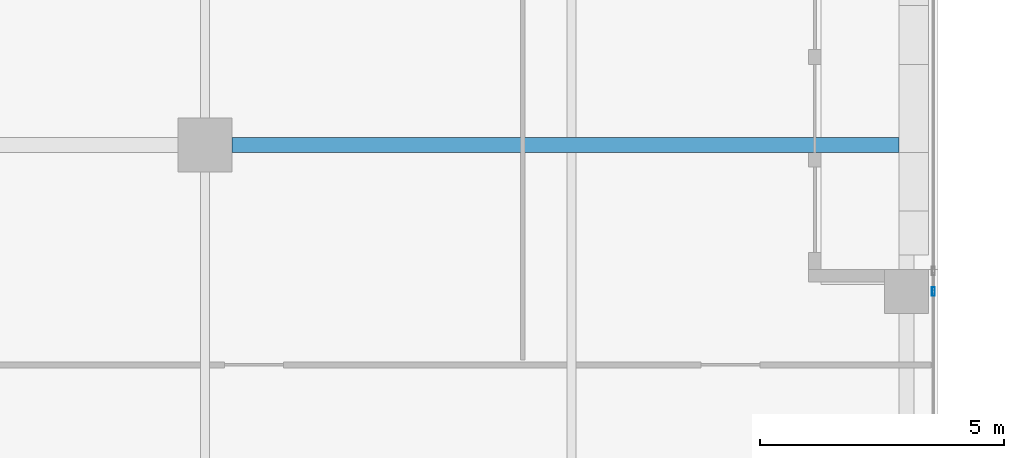
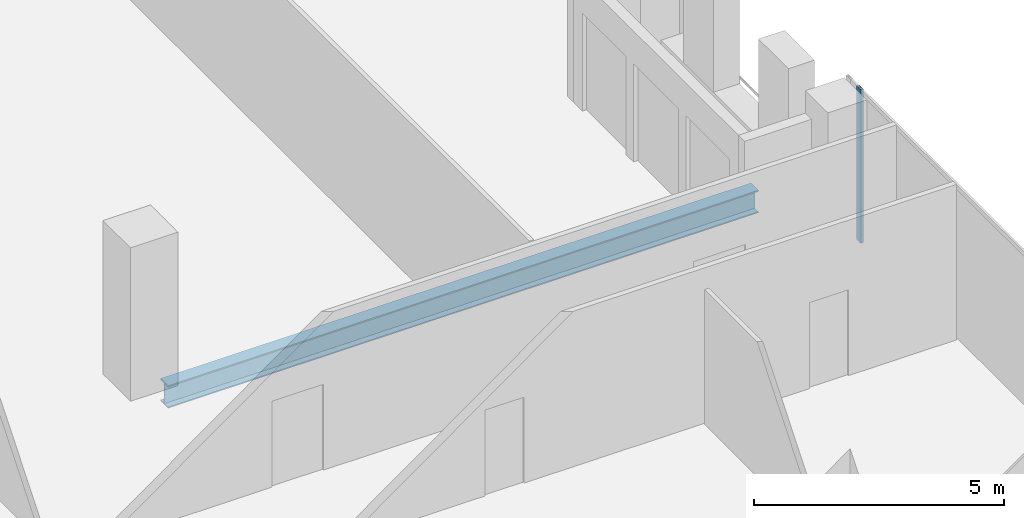
# One storey, part 12 of 36: 1 beam, 1 member, 1 element without a shape of its own.
"""IFC4 building model written with IfcOpenShell, lengths in metres."""

import ifcopenshell
import ifcopenshell.guid

model = None  # the IFC model being written
_history = None  # IfcOwnerHistory: only IFC2X3 demands one
_inside = {}  # id of a spatial element -> (the spatial element, [elements in it])
_under = {}  # id of a project, library or spatial element -> (it, [spatial elements below it])
_declared = {}  # id of a project -> (the project, [libraries it declares])
_typed = {}  # id of a type object -> (the type object, [elements of that type])
_made_of = {}  # id of a material, layer set ... -> (it, [elements and type objects made of it])


def new_model(schema):
    """Start an empty IFC model of exactly this schema.

    Asked for "IFC4X3", IfcOpenShell would pick the latest addendum, in which some entities
    have other attributes; the version numbers below select the first issue.
    IFC2X3 requires an IfcOwnerHistory on every rooted entity: one is made here for all.
    """
    global model, _history
    if schema == "IFC4X3":
        model = ifcopenshell.file(schema_version=(4, 3, 0, 0))
    else:
        model = ifcopenshell.file(schema=schema)
    _inside.clear()
    _under.clear()
    _declared.clear()
    _typed.clear()
    _made_of.clear()
    _history = None
    if model.schema == "IFC2X3":
        org = make("IfcOrganization", Name="unknown")
        user = make(
            "IfcPersonAndOrganization",
            ThePerson=make("IfcPerson", FamilyName="unknown"),
            TheOrganization=org,
        )
        app = make(
            "IfcApplication",
            ApplicationDeveloper=org,
            Version="unknown",
            ApplicationFullName="unknown",
            ApplicationIdentifier="unknown",
        )
        _history = make(
            "IfcOwnerHistory",
            OwningUser=user,
            OwningApplication=app,
            ChangeAction="ADDED",
            CreationDate=0,
        )
    return model


def make(cls, **values):
    """One entity of the class cls with the attributes given. An attribute that is None is left unset."""
    return model.create_entity(
        cls, **{name: value for name, value in values.items() if value is not None}
    )


def rooted(cls, **values):
    """An entity with a GlobalId (a new one), such as an element, a storey or a relation."""
    return make(cls, GlobalId=ifcopenshell.guid.new(), OwnerHistory=_history, **values)


def si_unit(unit_type, name, prefix=None):
    """IfcSIUnit, for example si_unit("LENGTHUNIT", "METRE", prefix="MILLI")."""
    return make("IfcSIUnit", UnitType=unit_type, Prefix=prefix, Name=name)


def assignment(units):
    """IfcUnitAssignment: the units of a project."""
    return None if units is None else make("IfcUnitAssignment", Units=units)


def point(xyz):
    """IfcCartesianPoint."""
    return None if xyz is None else make("IfcCartesianPoint", Coordinates=xyz)


def direction(xyz):
    """IfcDirection."""
    return None if xyz is None else make("IfcDirection", DirectionRatios=xyz)


def frame(location, z_axis=None, x_axis=None):
    """IfcAxis2Placement3D, a coordinate frame: its origin and axes. An axis left out is left unset."""
    return make(
        "IfcAxis2Placement3D",
        Location=point(location),
        Axis=direction(z_axis),
        RefDirection=direction(x_axis),
    )


def frame_2d(location, x_axis=None):
    """IfcAxis2Placement2D, a coordinate frame in the plane: its origin and x axis."""
    return make(
        "IfcAxis2Placement2D", Location=point(location), RefDirection=direction(x_axis)
    )


def origin():
    """The frame at (0, 0, 0) with its axes left unset."""
    return frame((0.0, 0.0, 0.0))


def origin_2d():
    """The frame at (0, 0) in the plane with its x axis left unset."""
    return frame_2d((0.0, 0.0))


def place(relative_to, where):
    """IfcLocalPlacement: puts the frame where relative to a parent placement (None: the world)."""
    return make(
        "IfcLocalPlacement", PlacementRelTo=relative_to, RelativePlacement=where
    )


def context(
    kind, dimensions, precision=None, world=None, true_north=None, identifier=None
):
    """IfcGeometricRepresentationContext, for example the 3D "Model" context."""
    return make(
        "IfcGeometricRepresentationContext",
        ContextIdentifier=identifier,
        ContextType=kind,
        CoordinateSpaceDimension=dimensions,
        Precision=precision,
        WorldCoordinateSystem=world,
        TrueNorth=true_north,
    )


def subcontext(parent, identifier, kind, view, scale=None):
    """IfcGeometricRepresentationSubContext, for example "Body" below "Model"."""
    return make(
        "IfcGeometricRepresentationSubContext",
        ContextIdentifier=identifier,
        ContextType=kind,
        ParentContext=parent,
        TargetScale=scale,
        TargetView=view,
    )


def project(units=None, contexts=None):
    """IfcProject with its units and contexts."""
    return rooted(
        "IfcProject",
        Name="project",
        RepresentationContexts=contexts,
        UnitsInContext=assignment(units),
    )


def spatial(cls, under=None, at=None, **own):
    """A site, building, storey or space (cls), placed at a placement, below another one or the project."""
    s = rooted(cls, ObjectPlacement=at, **own)
    if under is not None:
        _under.setdefault(under.id(), (under, []))[1].append(s)
    return s


def profile(cls, at=None, kind="AREA", **sizes):
    """A parametric profile (cls). Its sizes go by their IFC names, for example OverallWidth=200.0."""
    return make(cls, ProfileType=kind, Position=at, **sizes)


def hollow_rectangle(**sizes):
    """IfcRectangleHollowProfileDef."""
    return profile("IfcRectangleHollowProfileDef", **sizes)


def i_section(**sizes):
    """IfcIShapeProfileDef."""
    return profile("IfcIShapeProfileDef", **sizes)


def extrude(swept, where, along, depth):
    """IfcExtrudedAreaSolid: the profile swept, set in the frame where, extruded along a direction by depth."""
    return make(
        "IfcExtrudedAreaSolid",
        SweptArea=swept,
        Position=where,
        ExtrudedDirection=direction(along),
        Depth=depth,
    )


def shape(context_of_items, identifier, shape_type, items):
    """IfcShapeRepresentation: the items that make up one representation, for example the "Body"."""
    return make(
        "IfcShapeRepresentation",
        ContextOfItems=context_of_items,
        RepresentationIdentifier=identifier,
        RepresentationType=shape_type,
        Items=items,
    )


def source(mapping_origin, context_of_items, identifier, shape_type, items):
    """IfcRepresentationMap: a shape defined once, which mapped items show again and again."""
    return make(
        "IfcRepresentationMap",
        MappingOrigin=mapping_origin,
        MappedRepresentation=shape(context_of_items, identifier, shape_type, items),
    )


def transform(
    local_origin,
    x_axis=None,
    y_axis=None,
    z_axis=None,
    scale=None,
    scale2=None,
    scale3=None,
    uniform=True,
):
    """IfcCartesianTransformationOperator3D, or its non-uniform kind. x_axis, y_axis, z_axis: its Axis1, 2, 3."""
    if uniform:
        return make(
            "IfcCartesianTransformationOperator3D",
            Axis1=direction(x_axis),
            Axis2=direction(y_axis),
            LocalOrigin=point(local_origin),
            Scale=scale,
            Axis3=direction(z_axis),
        )
    return make(
        "IfcCartesianTransformationOperator3DnonUniform",
        Axis1=direction(x_axis),
        Axis2=direction(y_axis),
        LocalOrigin=point(local_origin),
        Scale=scale,
        Axis3=direction(z_axis),
        Scale2=scale2,
        Scale3=scale3,
    )


def mapped(mapping_source, mapping_target):
    """IfcMappedItem: shows the shape of a source again, moved by a transform."""
    return make(
        "IfcMappedItem", MappingSource=mapping_source, MappingTarget=mapping_target
    )


def material(Name=None, Category=None):
    """IfcMaterial."""
    return make("IfcMaterial", Name=Name, Category=Category)


def material_profile(
    of_material, cross_section, Name=None, Category=None, Priority=None
):
    """IfcMaterialProfile: a cross section and its material."""
    return make(
        "IfcMaterialProfile",
        Name=Name,
        Material=of_material,
        Profile=cross_section,
        Priority=Priority,
        Category=Category,
    )


def profile_set(profiles, Name=None, composite=None):
    """IfcMaterialProfileSet."""
    return make(
        "IfcMaterialProfileSet",
        Name=Name,
        MaterialProfiles=profiles,
        CompositeProfile=composite,
    )


def made_of(thing, what):
    """Note that an element or type object is made of a material, layer set ...; save() writes the relation."""
    if what is not None:
        _made_of.setdefault(what.id(), (what, []))[1].append(thing)
    return thing


def type_object(cls, material=None, **own):
    """A type object (cls), such as IfcWallType, which elements share."""
    return made_of(rooted(cls, **own), material)


def element(
    cls,
    number,
    at=None,
    inside=None,
    cuts=None,
    type_object=None,
    material=None,
    context=None,
    identifier="Body",
    shape_type=None,
    held_by="IfcProductDefinitionShape",
    body=None,
    shapes=None,
    **own,
):
    """One element of the class cls, such as IfcWall. Its Tag is "e" and its number.

    at: its placement. inside: the storey or other place that contains it. cuts: it is an
    opening in that element (IfcRelVoidsElement). A single representation is given by context,
    identifier, shape_type and body (its items); several are given by shapes. held_by: the class
    of the entity that holds the representations. save() writes the other relations.
    """
    e = rooted(cls, Tag="e%d" % number, ObjectPlacement=at, **own)
    if body is not None:
        shapes = [shape(context, identifier, shape_type, body)]
    if shapes is not None:
        e.Representation = make(held_by, Representations=shapes)
    if inside is not None:
        _inside.setdefault(inside.id(), (inside, []))[1].append(e)
    if cuts is not None:
        rooted(
            "IfcRelVoidsElement", RelatingBuildingElement=cuts, RelatedOpeningElement=e
        )
    if type_object is not None:
        _typed.setdefault(type_object.id(), (type_object, []))[1].append(e)
    return made_of(e, material)


def aggregate(whole, parts):
    """IfcRelAggregates: a whole, such as a stair, and the parts it consists of."""
    return rooted("IfcRelAggregates", RelatingObject=whole, RelatedObjects=parts)


def save(model, path):
    """Write the relations noted so far, then the file.

    IfcRelAggregates (storeys below a building ...), IfcRelContainedInSpatialStructure (elements
    in a storey), IfcRelDefinesByType, IfcRelAssociatesMaterial and IfcRelDeclares: one each for
    every whole, place, type object, material and project.
    """
    for whole, parts in _under.values():
        aggregate(whole, parts)
    for where, things in _inside.values():
        rooted(
            "IfcRelContainedInSpatialStructure",
            RelatedElements=things,
            RelatingStructure=where,
        )
    for kind, things in _typed.values():
        rooted("IfcRelDefinesByType", RelatedObjects=things, RelatingType=kind)
    for what, things in _made_of.values():
        rooted("IfcRelAssociatesMaterial", RelatedObjects=things, RelatingMaterial=what)
    for by, libraries in _declared.values():
        rooted("IfcRelDeclares", RelatingContext=by, RelatedDefinitions=libraries)
    model.write(path)


model = new_model("IFC4")

# Units and contexts
model_context = context("Model", 3, precision=1e-05, world=origin(), true_north=direction((0.0, 1.0)))
body_context = subcontext(model_context, "Body", "Model", "MODEL_VIEW")
ifc_project = project(units=[si_unit("LENGTHUNIT", "METRE"), si_unit("AREAUNIT", "SQUARE_METRE"), si_unit("VOLUMEUNIT", "CUBIC_METRE"), si_unit("PLANEANGLEUNIT", "RADIAN"), si_unit("MASSUNIT", "GRAM", prefix="KILO")], contexts=[model_context])

# Site, building, storey
site_placement = place(None, origin())
site = spatial("IfcSite", under=ifc_project, at=site_placement, CompositionType="ELEMENT")
building_placement = place(site_placement, origin())
building = spatial("IfcBuilding", under=site, at=building_placement, Name="Khomas Fold Tower", CompositionType="ELEMENT")
storey_placement = place(building_placement, frame((0.0, 0.0, 230.199951171875)))
storey = spatial("IfcBuildingStorey", under=building, at=storey_placement, Name="L51", CompositionType="ELEMENT", Elevation=230.199951171875)

# Beam
ifc_material_1 = material(Name="Steel S355", Category="steel")
ifc_material_profile_1 = material_profile(ifc_material_1, i_section(OverallWidth=0.300048828125, OverallDepth=0.550048828125, WebThickness=0.014892578125, FlangeThickness=0.029052734375, at=origin_2d()), Name="HE 550 B")
ifc_profile_set_1 = profile_set([ifc_material_profile_1], Name="Steel S355")
beam_type = type_object("IfcBeamType", Name="HE 550 B beam GB4", PredefinedType="BEAM", material=ifc_profile_set_1)
shared_shape_1 = source(origin(), body_context, "Body", "SweptSolid", [
    extrude(i_section(OverallWidth=0.300048828125, OverallDepth=0.550048828125, WebThickness=0.014892578125, FlangeThickness=0.029052734375, at=origin_2d()), origin(), (0.0, 0.0, 1.0), 13.64990234375),
])
beam_placement = place(storey_placement, frame((35.050048828125, 22.5, -0.52490234375), z_axis=(1.0, 0.0, 0.0), x_axis=(0.0, 1.0, 0.0)))
element("IfcBeam", 1, at=beam_placement, inside=storey, type_object=beam_type, Name="GB4", PredefinedType="BEAM", context=body_context, shape_type="MappedRepresentation", body=[
    mapped(shared_shape_1, transform((0.0, 0.0, 0.0))),
])

# Curtain wall, member
ifc_material_2 = material(Name="Aluminium framed double glazing", Category="aluminium")
curtain_wall_type = type_object("IfcCurtainWallType", Name="SK-Unitised clear-glass wall, office floors CW2", PredefinedType="NOTDEFINED", material=ifc_material_2)
curtain_wall_placement = place(storey_placement, origin())
curtain_wall = element("IfcCurtainWall", 2, at=curtain_wall_placement, inside=storey, type_object=curtain_wall_type, Name="CW2 run L51 03-0", PredefinedType="NOTDEFINED")
ifc_material_3 = material(Name="Aluminium", Category="aluminium")
ifc_material_profile_2 = material_profile(ifc_material_3, hollow_rectangle(XDim=0.06005859375, YDim=0.179931640625, WallThickness=0.00390625, at=origin_2d()), Name="SK-Unitised clear-glass wall, office floors mullion CW2-M")
ifc_profile_set_2 = profile_set([ifc_material_profile_2], Name="Aluminium")
member_type = type_object("IfcMemberType", Name="SK-Unitised clear-glass wall, office floors mullion CW2-M", PredefinedType="MULLION", material=ifc_profile_set_2)
shared_shape_2 = source(origin(), body_context, "Body", "SweptSolid", [
    extrude(hollow_rectangle(XDim=0.06005859375, YDim=0.179931640625, WallThickness=0.00390625, at=origin_2d()), origin(), (0.0, 0.0, 1.0), 3.75),
])
member_placement = place(storey_placement, frame((49.39990234375, 19.5, 0.0), z_axis=(0.0, 0.0, 1.0), x_axis=(-1.0, 0.0, 0.0)))
member = element("IfcMember", 3, at=member_placement, type_object=member_type, Name="CW2 mullion 3", PredefinedType="MULLION", context=body_context, shape_type="MappedRepresentation", body=[
    mapped(shared_shape_2, transform((0.0, 0.0, 0.0))),
])
aggregate(curtain_wall, [member])

save(model, "model.ifc")
